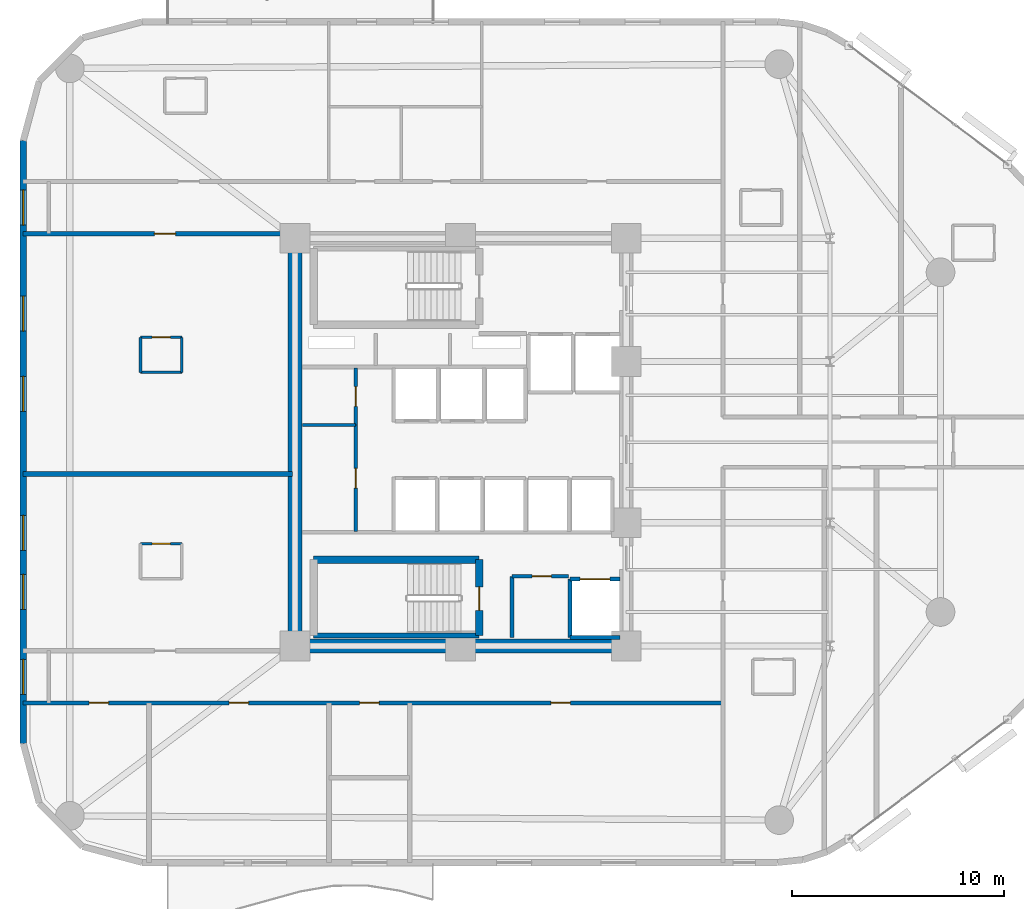
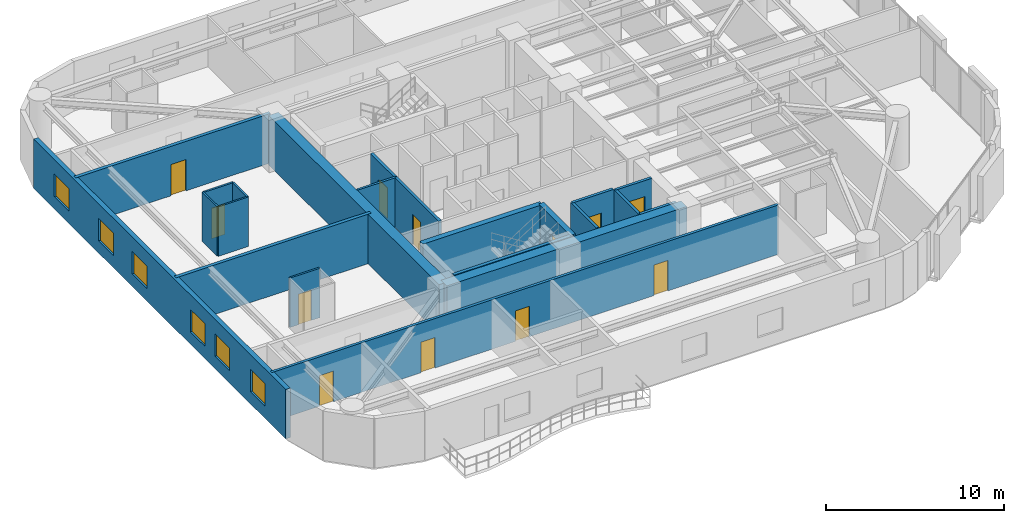
# One storey, part 10 of 16: 22 walls, 12 doors, 6 windows, 18 openings.
"""IFC4 building model written with IfcOpenShell, lengths in metres."""

from ifc_helpers import new_model, si_unit, direction, frame, frame_2d, origin, place, context, subcontext, project, spatial, rectangle, extrude, material, layer, layer_set, type_object, element, fill, save


model = new_model("IFC4")

# Units and contexts
model_context = context("Model", 3, precision=1e-05, world=origin(), true_north=direction((0.0, 1.0)))
body_context = subcontext(model_context, "Body", "Model", "MODEL_VIEW")
ifc_project = project(units=[si_unit("LENGTHUNIT", "METRE"), si_unit("AREAUNIT", "SQUARE_METRE"), si_unit("VOLUMEUNIT", "CUBIC_METRE"), si_unit("PLANEANGLEUNIT", "RADIAN"), si_unit("MASSUNIT", "GRAM", prefix="KILO")], contexts=[model_context])

# Site, building, storey
site_placement = place(None, origin())
site = spatial("IfcSite", under=ifc_project, at=site_placement, CompositionType="ELEMENT")
building_placement = place(site_placement, origin())
building = spatial("IfcBuilding", under=site, at=building_placement, Name="An Khanh Terracotta Commons", CompositionType="ELEMENT")
storey_placement = place(building_placement, frame((0.0, 0.0, 97.10009765625)))
storey = spatial("IfcBuildingStorey", under=building, at=storey_placement, Name="L25", CompositionType="ELEMENT", Elevation=97.10009765625)

# Walls
ifc_material_1 = material(Name="Concrete C60/75", Category="concrete")
ifc_layer_1 = layer(ifc_material_1, 0.64990234375, Name="Concrete C60/75")
ifc_layer_set_1 = layer_set([ifc_layer_1], Name="Concrete C60/75")
wall_type_1 = type_object("IfcWallType", Name="WALL-CORE-650", PredefinedType="SHEAR", material=ifc_layer_set_1)
wall_1_placement = place(storey_placement, frame((21.60009765625, 14.39990234375, 0.0), z_axis=(0.0, 0.0, 1.0), x_axis=(0.0, 1.0, 0.0)))
element("IfcWall", 1, at=wall_1_placement, inside=storey, type_object=wall_type_1, Name="L25 Core Wall CWALL-L25-W", PredefinedType="SHEAR", context=body_context, shape_type="SweptSolid", body=[
    extrude(rectangle(XDim=19.2001953125, YDim=0.64990234375, at=frame_2d((9.60009765625, 0.0))), origin(), (0.0, 0.0, 1.0), 3.39990234375),
])
wall_2_placement = place(storey_placement, frame((37.199951171875, 14.39990234375, 0.0), z_axis=(0.0, 0.0, 1.0), x_axis=(-1.0, 0.0, 0.0)))
element("IfcWall", 2, at=wall_2_placement, inside=storey, type_object=wall_type_1, Name="L25 Core Wall CWALL-L25-S", PredefinedType="SHEAR", context=body_context, shape_type="SweptSolid", body=[
    extrude(rectangle(XDim=15.599853515625, YDim=0.64990234375, at=frame_2d((7.7998046875, 0.0))), origin(), (0.0, 0.0, 1.0), 3.39990234375),
])

# Wall, opening, door
ifc_material_2 = material(Name="Fire-Rated Gypsum Board on Steel Stud", Category="steel")
ifc_layer_2 = layer(ifc_material_2, 0.179931640625, Name="Fire-Rated Gypsum Board on Steel Stud")
ifc_layer_set_2 = layer_set([ifc_layer_2], Name="Fire-Rated Gypsum Board on Steel Stud")
wall_type_2 = type_object("IfcWallType", Name="WALL-CORR-180", PredefinedType="PARTITIONING", material=ifc_layer_set_2)
wall_3_placement = place(storey_placement, frame((31.820068359375, 17.679931640625, 0.0), z_axis=(0.0, 0.0, 1.0), x_axis=(1.0, 0.0, 0.0)))
wall_3 = element("IfcWall", 3, at=wall_3_placement, inside=storey, type_object=wall_type_2, Name="L25 Core Wall SSVCW-L25-N", PredefinedType="PARTITIONING", context=body_context, shape_type="SweptSolid", body=[
    extrude(rectangle(XDim=2.659912109375, YDim=0.179931640625, at=frame_2d((1.330078125, 0.0))), origin(), (0.0, 0.0, 1.0), 3.39990234375),
])
opening_1_placement = place(wall_3_placement, frame((0.949951171875, 0.0, 0.0)))
opening_1 = element("IfcOpeningElement", 4, at=opening_1_placement, cuts=wall_3, Name="Opening D-SV", PredefinedType="OPENING", context=body_context, shape_type="SweptSolid", body=[
    extrude(rectangle(XDim=0.89990234375, YDim=2.050048828125, at=frame_2d((0.449951171875, 1.02490234375))), frame((0.0, 0.099853515625, 0.0), z_axis=(0.0, -1.0, 0.0), x_axis=(1.0, 0.0, 0.0)), (0.0, 0.0, 1.0), 0.199951171875),
])
ifc_material_3 = material(Name="Fire-Rated Powder-Coated Steel Door", Category="steel")
door_type_1 = type_object("IfcDoorType", Name="DOOR-SERV-900", OperationType="NOTDEFINED", PredefinedType="DOOR", material=ifc_material_3)
door_1_placement = place(opening_1_placement, origin())
door_1 = element("IfcDoor", 5, at=door_1_placement, inside=storey, type_object=door_type_1, Name="L25 Core Housekeeping Store Door", OperationType="SINGLE_SWING_RIGHT", OverallHeight=2.050048828125, OverallWidth=0.89990234375, PredefinedType="DOOR", context=body_context, shape_type="SweptSolid", body=[
    extrude(rectangle(XDim=0.89990234375, YDim=2.050048828125, at=frame_2d((0.449951171875, 1.02490234375))), frame((0.0, 0.02490234375, 0.0), z_axis=(0.0, -1.0, 0.0), x_axis=(1.0, 0.0, 0.0)), (0.0, 0.0, 1.0), 0.050048828125),
])
fill(opening_1, door_1)

# Wall
wall_4_placement = place(storey_placement, frame((31.820068359375, 14.800048828125, 0.0), z_axis=(0.0, 0.0, 1.0), x_axis=(0.0, 1.0, 0.0)))
element("IfcWall", 6, at=wall_4_placement, inside=storey, type_object=wall_type_2, Name="L25 Core Wall SSVCW-L25-W", PredefinedType="PARTITIONING", context=body_context, shape_type="SweptSolid", body=[
    extrude(rectangle(XDim=2.8798828125, YDim=0.179931640625, at=frame_2d((1.43994140625, 0.0))), origin(), (0.0, 0.0, 1.0), 3.39990234375),
])

# Wall, opening, door
wall_5_placement = place(storey_placement, frame((34.550048828125, 17.550048828125, 0.0), z_axis=(0.0, 0.0, 1.0), x_axis=(1.0, 0.0, 0.0)))
wall_5 = element("IfcWall", 7, at=wall_5_placement, inside=storey, type_object=wall_type_2, Name="L25 Core Wall LSH-L25-SVL-01-N", PredefinedType="PARTITIONING", context=body_context, shape_type="SweptSolid", body=[
    extrude(rectangle(XDim=2.349853515625, YDim=0.179931640625, at=frame_2d((1.1748046875, 0.0))), origin(), (0.0, 0.0, 1.0), 3.39990234375),
])
opening_2_placement = place(wall_5_placement, frame((0.47509765625, 0.0, 0.0)))
opening_2 = element("IfcOpeningElement", 8, at=opening_2_placement, cuts=wall_5, Name="Opening LD-SVL-01-L25", PredefinedType="OPENING", context=body_context, shape_type="SweptSolid", body=[
    extrude(rectangle(XDim=1.39990234375, YDim=2.300048828125, at=frame_2d((0.699951171875, 1.14990234375))), frame((0.0, 0.099853515625, 0.0), z_axis=(0.0, -1.0, 0.0), x_axis=(1.0, 0.0, 0.0)), (0.0, 0.0, 1.0), 0.199951171875),
])
ifc_material_4 = material(Name="Heavy-Duty Stainless Steel Goods Landing Door", Category="steel")
door_type_2 = type_object("IfcDoorType", Name="DOOR-LD-SVL-1400", OperationType="NOTDEFINED", PredefinedType="DOOR", material=ifc_material_4)
door_2_placement = place(opening_2_placement, origin())
door_2 = element("IfcDoor", 9, at=door_2_placement, inside=storey, type_object=door_type_2, Name="L25 Lift SVL-01 Sliding Landing Door", OperationType="DOUBLE_DOOR_SLIDING", OverallHeight=2.300048828125, OverallWidth=1.39990234375, PredefinedType="DOOR", context=body_context, shape_type="SweptSolid", body=[
    extrude(rectangle(XDim=1.39990234375, YDim=2.300048828125, at=frame_2d((0.699951171875, 1.14990234375))), frame((0.0, 0.02490234375, 0.0), z_axis=(0.0, -1.0, 0.0), x_axis=(1.0, 0.0, 0.0)), (0.0, 0.0, 1.0), 0.050048828125),
])
fill(opening_2, door_2)

# Walls
wall_6_placement = place(storey_placement, frame((36.89990234375, 14.800048828125, 0.0), z_axis=(0.0, 0.0, 1.0), x_axis=(-1.0, 0.0, 0.0)))
element("IfcWall", 10, at=wall_6_placement, inside=storey, type_object=wall_type_2, Name="L25 Core Wall LSH-L25-SVL-01-S", PredefinedType="PARTITIONING", context=body_context, shape_type="SweptSolid", body=[
    extrude(rectangle(XDim=2.349853515625, YDim=0.179931640625, at=frame_2d((1.1748046875, 0.0))), origin(), (0.0, 0.0, 1.0), 3.39990234375),
])
wall_7_placement = place(storey_placement, frame((34.550048828125, 17.550048828125, 0.0), z_axis=(0.0, 0.0, 1.0), x_axis=(0.0, -1.0, 0.0)))
element("IfcWall", 11, at=wall_7_placement, inside=storey, type_object=wall_type_2, Name="L25 Core Wall LSH-L25-SVL-01-W", PredefinedType="PARTITIONING", context=body_context, shape_type="SweptSolid", body=[
    extrude(rectangle(XDim=2.75, YDim=0.179931640625, at=frame_2d((1.375, 0.0))), origin(), (0.0, 0.0, 1.0), 3.39990234375),
])

# Wall, opening, door
wall_8_placement = place(storey_placement, frame((24.4599609375, 24.800048828125, 0.0), z_axis=(0.0, 0.0, 1.0), x_axis=(0.0, 1.0, 0.0)))
wall_8 = element("IfcWall", 12, at=wall_8_placement, inside=storey, type_object=wall_type_2, Name="L25 Core Wall RECW-L25-E1", PredefinedType="PARTITIONING", context=body_context, shape_type="SweptSolid", body=[
    extrude(rectangle(XDim=2.699951171875, YDim=0.179931640625, at=frame_2d((1.35009765625, 0.0))), origin(), (0.0, 0.0, 1.0), 3.39990234375),
])
opening_3_placement = place(wall_8_placement, frame((0.889892578125, 0.0, 0.0)))
opening_3 = element("IfcOpeningElement", 13, at=opening_3_placement, cuts=wall_8, Name="Opening D-RM", PredefinedType="OPENING", context=body_context, shape_type="SweptSolid", body=[
    extrude(rectangle(XDim=0.919921875, YDim=2.10009765625, at=frame_2d((0.4599609375, 1.050048828125))), frame((0.0, 0.099853515625, 0.0), z_axis=(0.0, -1.0, 0.0), x_axis=(1.0, 0.0, 0.0)), (0.0, 0.0, 1.0), 0.199951171875),
])
ifc_material_5 = material(Name="Engineered Hardwood Timber Leaf", Category="wood")
door_type_3 = type_object("IfcDoorType", Name="DOOR-INT-920", OperationType="NOTDEFINED", PredefinedType="DOOR", material=ifc_material_5)
door_3_placement = place(opening_3_placement, origin())
door_3 = element("IfcDoor", 14, at=door_3_placement, inside=storey, type_object=door_type_3, Name="L25 Floor Pantry and Ice Room Door", OperationType="SINGLE_SWING_LEFT", OverallHeight=2.10009765625, OverallWidth=0.919921875, PredefinedType="DOOR", context=body_context, shape_type="SweptSolid", body=[
    extrude(rectangle(XDim=0.919921875, YDim=2.10009765625, at=frame_2d((0.4599609375, 1.050048828125))), frame((0.0, 0.02490234375, 0.0), z_axis=(0.0, -1.0, 0.0), x_axis=(1.0, 0.0, 0.0)), (0.0, 0.0, 1.0), 0.050048828125),
])
fill(opening_3, door_3)

wall_9_placement = place(storey_placement, frame((24.4599609375, 19.800048828125, 0.0), z_axis=(0.0, 0.0, 1.0), x_axis=(0.0, 1.0, 0.0)))
wall_9 = element("IfcWall", 15, at=wall_9_placement, inside=storey, type_object=wall_type_2, Name="L25 Core Wall RECW-L25-E2", PredefinedType="PARTITIONING", context=body_context, shape_type="SweptSolid", body=[
    extrude(rectangle(XDim=5.0, YDim=0.179931640625, at=frame_2d((2.5, 0.0))), origin(), (0.0, 0.0, 1.0), 3.39990234375),
])
opening_4_placement = place(wall_9_placement, frame((2.0400390625, 0.0, 0.0)))
opening_4 = element("IfcOpeningElement", 16, at=opening_4_placement, cuts=wall_9, Name="Opening D-RM", PredefinedType="OPENING", context=body_context, shape_type="SweptSolid", body=[
    extrude(rectangle(XDim=0.919921875, YDim=2.10009765625, at=frame_2d((0.4599609375, 1.050048828125))), frame((0.0, 0.099853515625, 0.0), z_axis=(0.0, -1.0, 0.0), x_axis=(1.0, 0.0, 0.0)), (0.0, 0.0, 1.0), 0.199951171875),
])
door_4_placement = place(opening_4_placement, origin())
door_4 = element("IfcDoor", 17, at=door_4_placement, inside=storey, type_object=door_type_3, Name="L25 Luggage Locker Room Door", OperationType="SINGLE_SWING_RIGHT", OverallHeight=2.10009765625, OverallWidth=0.919921875, PredefinedType="DOOR", context=body_context, shape_type="SweptSolid", body=[
    extrude(rectangle(XDim=0.919921875, YDim=2.10009765625, at=frame_2d((0.4599609375, 1.050048828125))), frame((0.0, 0.02490234375, 0.0), z_axis=(0.0, -1.0, 0.0), x_axis=(1.0, 0.0, 0.0)), (0.0, 0.0, 1.0), 0.050048828125),
])
fill(opening_4, door_4)

# Wall, openings, doors
wall_10_placement = place(storey_placement, frame((8.800048828125, 11.719970703125, 0.0), z_axis=(0.0, 0.0, 1.0), x_axis=(1.0, 0.0, 0.0)))
wall_10 = element("IfcWall", 18, at=wall_10_placement, inside=storey, type_object=wall_type_2, Name="L25 Interior Partition IW-L25-E002", PredefinedType="PARTITIONING", context=body_context, shape_type="SweptSolid", body=[
    extrude(rectangle(XDim=32.949951171875, YDim=0.179931640625, at=frame_2d((16.47509765625, 0.0))), origin(), (0.0, 0.0, 1.0), 3.39990234375),
])
opening_5_placement = place(wall_10_placement, frame((15.840087890625, 0.0, 0.0)))
opening_5 = element("IfcOpeningElement", 19, at=opening_5_placement, cuts=wall_10, Name="Opening D-RM", PredefinedType="OPENING", context=body_context, shape_type="SweptSolid", body=[
    extrude(rectangle(XDim=0.919921875, YDim=2.10009765625, at=frame_2d((0.4599609375, 1.050048828125))), frame((0.0, 0.099853515625, 0.0), z_axis=(0.0, -1.0, 0.0), x_axis=(1.0, 0.0, 0.0)), (0.0, 0.0, 1.0), 0.199951171875),
])
opening_6_placement = place(wall_10_placement, frame((3.10107421875, 0.0, 0.0)))
opening_6 = element("IfcOpeningElement", 20, at=opening_6_placement, cuts=wall_10, Name="Opening D-RM", PredefinedType="OPENING", context=body_context, shape_type="SweptSolid", body=[
    extrude(rectangle(XDim=0.919921875, YDim=2.10009765625, at=frame_2d((0.4599609375, 1.050048828125))), frame((0.0, 0.099853515625, 0.0), z_axis=(0.0, -1.0, 0.0), x_axis=(1.0, 0.0, 0.0)), (0.0, 0.0, 1.0), 0.199951171875),
])
opening_7_placement = place(wall_10_placement, frame((9.700927734375, 0.0, 0.0)))
opening_7 = element("IfcOpeningElement", 21, at=opening_7_placement, cuts=wall_10, Name="Opening D-RM", PredefinedType="OPENING", context=body_context, shape_type="SweptSolid", body=[
    extrude(rectangle(XDim=0.919921875, YDim=2.10009765625, at=frame_2d((0.4599609375, 1.050048828125))), frame((0.0, 0.099853515625, 0.0), z_axis=(0.0, -1.0, 0.0), x_axis=(1.0, 0.0, 0.0)), (0.0, 0.0, 1.0), 0.199951171875),
])
opening_8_placement = place(wall_10_placement, frame((24.85498046875, 0.0, 0.0)))
opening_8 = element("IfcOpeningElement", 22, at=opening_8_placement, cuts=wall_10, Name="Opening D-RM", PredefinedType="OPENING", context=body_context, shape_type="SweptSolid", body=[
    extrude(rectangle(XDim=0.919921875, YDim=2.10009765625, at=frame_2d((0.4599609375, 1.050048828125))), frame((0.0, 0.099853515625, 0.0), z_axis=(0.0, -1.0, 0.0), x_axis=(1.0, 0.0, 0.0)), (0.0, 0.0, 1.0), 0.199951171875),
])
door_5_placement = place(opening_5_placement, origin())
door_5 = element("IfcDoor", 23, at=door_5_placement, inside=storey, type_object=door_type_3, Name="L25 HKP Housekeeping Linen Store Door", OperationType="SINGLE_SWING_LEFT", OverallHeight=2.10009765625, OverallWidth=0.919921875, PredefinedType="DOOR", context=body_context, shape_type="SweptSolid", body=[
    extrude(rectangle(XDim=0.919921875, YDim=2.10009765625, at=frame_2d((0.4599609375, 1.050048828125))), frame((0.0, 0.02490234375, 0.0), z_axis=(0.0, -1.0, 0.0), x_axis=(1.0, 0.0, 0.0)), (0.0, 0.0, 1.0), 0.050048828125),
])
fill(opening_5, door_5)
door_6_placement = place(opening_6_placement, origin())
door_6 = element("IfcDoor", 24, at=door_6_placement, inside=storey, type_object=door_type_3, Name="L25 SW1 Academic Seminar Room Door", OperationType="SINGLE_SWING_LEFT", OverallHeight=2.10009765625, OverallWidth=0.919921875, PredefinedType="DOOR", context=body_context, shape_type="SweptSolid", body=[
    extrude(rectangle(XDim=0.919921875, YDim=2.10009765625, at=frame_2d((0.4599609375, 1.050048828125))), frame((0.0, 0.02490234375, 0.0), z_axis=(0.0, -1.0, 0.0), x_axis=(1.0, 0.0, 0.0)), (0.0, 0.0, 1.0), 0.050048828125),
])
fill(opening_6, door_6)
door_7_placement = place(opening_7_placement, origin())
door_7 = element("IfcDoor", 25, at=door_7_placement, inside=storey, type_object=door_type_3, Name="L25 SW2 Academic Seminar Room Door", OperationType="SINGLE_SWING_RIGHT", OverallHeight=2.10009765625, OverallWidth=0.919921875, PredefinedType="DOOR", context=body_context, shape_type="SweptSolid", body=[
    extrude(rectangle(XDim=0.919921875, YDim=2.10009765625, at=frame_2d((0.4599609375, 1.050048828125))), frame((0.0, 0.02490234375, 0.0), z_axis=(0.0, -1.0, 0.0), x_axis=(1.0, 0.0, 0.0)), (0.0, 0.0, 1.0), 0.050048828125),
])
fill(opening_7, door_7)
door_8_placement = place(opening_8_placement, origin())
door_8 = element("IfcDoor", 26, at=door_8_placement, inside=storey, type_object=door_type_3, Name="L25 SWE Academic Seminar Room Door", OperationType="SINGLE_SWING_LEFT", OverallHeight=2.10009765625, OverallWidth=0.919921875, PredefinedType="DOOR", context=body_context, shape_type="SweptSolid", body=[
    extrude(rectangle(XDim=0.919921875, YDim=2.10009765625, at=frame_2d((0.4599609375, 1.050048828125))), frame((0.0, 0.02490234375, 0.0), z_axis=(0.0, -1.0, 0.0), x_axis=(1.0, 0.0, 0.0)), (0.0, 0.0, 1.0), 0.050048828125),
])
fill(opening_8, door_8)

# Wall, openings, windows
ifc_material_6 = material(Name="Precast concrete C40/50", Category="concrete")
ifc_layer_3 = layer(ifc_material_6, 0.300048828125, Name="Precast concrete C40/50")
ifc_layer_set_3 = layer_set([ifc_layer_3], Name="Precast concrete C40/50")
wall_type_3 = type_object("IfcWallType", Name="WALL-EXT-300", PredefinedType="SOLIDWALL", material=ifc_layer_set_3)
wall_11_placement = place(storey_placement, frame((8.800048828125, 38.199951171875, 0.0), z_axis=(0.0, 0.0, 1.0), x_axis=(0.0, -1.0, 0.0)))
wall_11 = element("IfcWall", 27, at=wall_11_placement, inside=storey, type_object=wall_type_3, Name="L25 Insulated Terracotta Exterior Wall 24", PredefinedType="SOLIDWALL", context=body_context, shape_type="SweptSolid", body=[
    extrude(rectangle(XDim=28.39990234375, YDim=0.300048828125, at=frame_2d((14.199951171875, 0.0))), origin(), (0.0, 0.0, 1.0), 3.39990234375),
])
opening_9_placement = place(wall_11_placement, frame((2.324951171875, 0.0, 0.85009765625)))
opening_9 = element("IfcOpeningElement", 28, at=opening_9_placement, cuts=wall_11, Name="Opening W-02", PredefinedType="OPENING", context=body_context, shape_type="SweptSolid", body=[
    extrude(rectangle(XDim=1.64990234375, YDim=1.550048828125, at=frame_2d((0.824951171875, 0.77490234375))), frame((0.0, 0.159912109375, 0.0), z_axis=(0.0, -1.0, 0.0), x_axis=(1.0, 0.0, 0.0)), (0.0, 0.0, 1.0), 0.320068359375),
])
opening_10_placement = place(wall_11_placement, frame((7.327880859375, 0.0, 0.85009765625)))
opening_10 = element("IfcOpeningElement", 29, at=opening_10_placement, cuts=wall_11, Name="Opening W-02", PredefinedType="OPENING", context=body_context, shape_type="SweptSolid", body=[
    extrude(rectangle(XDim=1.64990234375, YDim=1.550048828125, at=frame_2d((0.824951171875, 0.77490234375))), frame((0.0, 0.159912109375, 0.0), z_axis=(0.0, -1.0, 0.0), x_axis=(1.0, 0.0, 0.0)), (0.0, 0.0, 1.0), 0.320068359375),
])
opening_11_placement = place(wall_11_placement, frame((11.10205078125, 0.0, 0.85009765625)))
opening_11 = element("IfcOpeningElement", 30, at=opening_11_placement, cuts=wall_11, Name="Opening W-02", PredefinedType="OPENING", context=body_context, shape_type="SweptSolid", body=[
    extrude(rectangle(XDim=1.64990234375, YDim=1.550048828125, at=frame_2d((0.824951171875, 0.77490234375))), frame((0.0, 0.159912109375, 0.0), z_axis=(0.0, -1.0, 0.0), x_axis=(1.0, 0.0, 0.0)), (0.0, 0.0, 1.0), 0.320068359375),
])
opening_12_placement = place(wall_11_placement, frame((17.64794921875, 0.0, 0.85009765625)))
opening_12 = element("IfcOpeningElement", 31, at=opening_12_placement, cuts=wall_11, Name="Opening W-02", PredefinedType="OPENING", context=body_context, shape_type="SweptSolid", body=[
    extrude(rectangle(XDim=1.64990234375, YDim=1.550048828125, at=frame_2d((0.824951171875, 0.77490234375))), frame((0.0, 0.159912109375, 0.0), z_axis=(0.0, -1.0, 0.0), x_axis=(1.0, 0.0, 0.0)), (0.0, 0.0, 1.0), 0.320068359375),
])
opening_13_placement = place(wall_11_placement, frame((20.422119140625, 0.0, 0.85009765625)))
opening_13 = element("IfcOpeningElement", 32, at=opening_13_placement, cuts=wall_11, Name="Opening W-02", PredefinedType="OPENING", context=body_context, shape_type="SweptSolid", body=[
    extrude(rectangle(XDim=1.64990234375, YDim=1.550048828125, at=frame_2d((0.824951171875, 0.77490234375))), frame((0.0, 0.159912109375, 0.0), z_axis=(0.0, -1.0, 0.0), x_axis=(1.0, 0.0, 0.0)), (0.0, 0.0, 1.0), 0.320068359375),
])
opening_14_placement = place(wall_11_placement, frame((24.425048828125, 0.0, 0.85009765625)))
opening_14 = element("IfcOpeningElement", 33, at=opening_14_placement, cuts=wall_11, Name="Opening W-02", PredefinedType="OPENING", context=body_context, shape_type="SweptSolid", body=[
    extrude(rectangle(XDim=1.64990234375, YDim=1.550048828125, at=frame_2d((0.824951171875, 0.77490234375))), frame((0.0, 0.159912109375, 0.0), z_axis=(0.0, -1.0, 0.0), x_axis=(1.0, 0.0, 0.0)), (0.0, 0.0, 1.0), 0.320068359375),
])
ifc_material_7 = material(Name="Thermally Broken Aluminium and Low-E Glass", Category="aluminium")
window_type = type_object("IfcWindowType", Name="WIN-Z2-1650x1550", PartitioningType="DOUBLE_PANEL_VERTICAL", PredefinedType="WINDOW", material=ifc_material_7)
window_1_placement = place(opening_9_placement, origin())
window_1 = element("IfcWindow", 34, at=window_1_placement, inside=storey, type_object=window_type, Name="L25 Operable Casement Window 24.1", OverallHeight=1.550048828125, OverallWidth=1.64990234375, PartitioningType="DOUBLE_PANEL_VERTICAL", PredefinedType="WINDOW", context=body_context, shape_type="SweptSolid", body=[
    extrude(rectangle(XDim=1.64990234375, YDim=1.550048828125, at=frame_2d((0.824951171875, 0.77490234375))), frame((0.0, 0.030029296875, 0.0), z_axis=(0.0, -1.0, 0.0), x_axis=(1.0, 0.0, 0.0)), (0.0, 0.0, 1.0), 0.06005859375),
])
fill(opening_9, window_1)
window_2_placement = place(opening_10_placement, origin())
window_2 = element("IfcWindow", 35, at=window_2_placement, inside=storey, type_object=window_type, Name="L25 Operable Casement Window 24.2", OverallHeight=1.550048828125, OverallWidth=1.64990234375, PartitioningType="DOUBLE_PANEL_VERTICAL", PredefinedType="WINDOW", context=body_context, shape_type="SweptSolid", body=[
    extrude(rectangle(XDim=1.64990234375, YDim=1.550048828125, at=frame_2d((0.824951171875, 0.77490234375))), frame((0.0, 0.030029296875, 0.0), z_axis=(0.0, -1.0, 0.0), x_axis=(1.0, 0.0, 0.0)), (0.0, 0.0, 1.0), 0.06005859375),
])
fill(opening_10, window_2)
window_3_placement = place(opening_11_placement, origin())
window_3 = element("IfcWindow", 36, at=window_3_placement, inside=storey, type_object=window_type, Name="L25 Operable Casement Window 24.3", OverallHeight=1.550048828125, OverallWidth=1.64990234375, PartitioningType="DOUBLE_PANEL_VERTICAL", PredefinedType="WINDOW", context=body_context, shape_type="SweptSolid", body=[
    extrude(rectangle(XDim=1.64990234375, YDim=1.550048828125, at=frame_2d((0.824951171875, 0.77490234375))), frame((0.0, 0.030029296875, 0.0), z_axis=(0.0, -1.0, 0.0), x_axis=(1.0, 0.0, 0.0)), (0.0, 0.0, 1.0), 0.06005859375),
])
fill(opening_11, window_3)
window_4_placement = place(opening_12_placement, origin())
window_4 = element("IfcWindow", 37, at=window_4_placement, inside=storey, type_object=window_type, Name="L25 Operable Casement Window 24.4", OverallHeight=1.550048828125, OverallWidth=1.64990234375, PartitioningType="DOUBLE_PANEL_VERTICAL", PredefinedType="WINDOW", context=body_context, shape_type="SweptSolid", body=[
    extrude(rectangle(XDim=1.64990234375, YDim=1.550048828125, at=frame_2d((0.824951171875, 0.77490234375))), frame((0.0, 0.030029296875, 0.0), z_axis=(0.0, -1.0, 0.0), x_axis=(1.0, 0.0, 0.0)), (0.0, 0.0, 1.0), 0.06005859375),
])
fill(opening_12, window_4)
window_5_placement = place(opening_13_placement, origin())
window_5 = element("IfcWindow", 38, at=window_5_placement, inside=storey, type_object=window_type, Name="L25 Operable Casement Window 24.5", OverallHeight=1.550048828125, OverallWidth=1.64990234375, PartitioningType="DOUBLE_PANEL_VERTICAL", PredefinedType="WINDOW", context=body_context, shape_type="SweptSolid", body=[
    extrude(rectangle(XDim=1.64990234375, YDim=1.550048828125, at=frame_2d((0.824951171875, 0.77490234375))), frame((0.0, 0.030029296875, 0.0), z_axis=(0.0, -1.0, 0.0), x_axis=(1.0, 0.0, 0.0)), (0.0, 0.0, 1.0), 0.06005859375),
])
fill(opening_13, window_5)
window_6_placement = place(opening_14_placement, origin())
window_6 = element("IfcWindow", 39, at=window_6_placement, inside=storey, type_object=window_type, Name="L25 Operable Casement Window 24.6", OverallHeight=1.550048828125, OverallWidth=1.64990234375, PartitioningType="DOUBLE_PANEL_VERTICAL", PredefinedType="WINDOW", context=body_context, shape_type="SweptSolid", body=[
    extrude(rectangle(XDim=1.64990234375, YDim=1.550048828125, at=frame_2d((0.824951171875, 0.77490234375))), frame((0.0, 0.030029296875, 0.0), z_axis=(0.0, -1.0, 0.0), x_axis=(1.0, 0.0, 0.0)), (0.0, 0.0, 1.0), 0.06005859375),
])
fill(opening_14, window_6)

# Walls
ifc_material_8 = material(Name="Acoustic Gypsum Board Partition")
ifc_layer_4 = layer(ifc_material_8, 0.14990234375, Name="Acoustic Gypsum Board Partition")
ifc_layer_set_4 = layer_set([ifc_layer_4], Name="Acoustic Gypsum Board Partition")
wall_type_4 = type_object("IfcWallType", Name="WALL-PART-150", PredefinedType="PARTITIONING", material=ifc_layer_set_4)
wall_12_placement = place(storey_placement, frame((21.949951171875, 24.800048828125, 0.0), z_axis=(0.0, 0.0, 1.0), x_axis=(1.0, 0.0, 0.0)))
element("IfcWall", 40, at=wall_12_placement, inside=storey, type_object=wall_type_4, Name="L25 Core Wall RECW-L25-M", PredefinedType="PARTITIONING", context=body_context, shape_type="SweptSolid", body=[
    extrude(rectangle(XDim=2.510009765625, YDim=0.14990234375, at=frame_2d((1.2548828125, 0.0))), origin(), (0.0, 0.0, 1.0), 3.39990234375),
])
ifc_material_9 = material(Name="Acoustic Double-Stud Gypsum and Mineral Wool")
ifc_layer_5 = layer(ifc_material_9, 0.219970703125, Name="Acoustic Double-Stud Gypsum and Mineral Wool")
ifc_layer_set_5 = layer_set([ifc_layer_5], Name="Acoustic Double-Stud Gypsum and Mineral Wool")
wall_type_5 = type_object("IfcWallType", Name="WALL-PARTY-220", PredefinedType="PARTITIONING", material=ifc_layer_set_5)
wall_13_placement = place(storey_placement, frame((22.47998046875, 14.889892578125, 0.0), z_axis=(0.0, 0.0, 1.0), x_axis=(1.0, 0.0, 0.0)))
element("IfcWall", 41, at=wall_13_placement, inside=storey, type_object=wall_type_5, Name="L25 Core Wall STW-L25-S-S", PredefinedType="PARTITIONING", context=body_context, shape_type="SweptSolid", body=[
    extrude(rectangle(XDim=7.7900390625, YDim=0.219970703125, at=frame_2d((3.89501953125, 0.0))), origin(), (0.0, 0.0, 1.0), 3.39990234375),
])
wall_14_placement = place(storey_placement, frame((8.800048828125, 22.5, 0.0), z_axis=(0.0, 0.0, 1.0), x_axis=(1.0, 0.0, 0.0)))
element("IfcWall", 42, at=wall_14_placement, inside=storey, type_object=wall_type_5, Name="L25 Interior Partition IW-L25-E004", PredefinedType="PARTITIONING", context=body_context, shape_type="SweptSolid", body=[
    extrude(rectangle(XDim=12.679931640625, YDim=0.219970703125, at=frame_2d((6.33984375, 0.0))), origin(), (0.0, 0.0, 1.0), 3.39990234375),
])

# Wall, opening, door
wall_15_placement = place(storey_placement, frame((8.800048828125, 33.820068359375, 0.0), z_axis=(0.0, 0.0, 1.0), x_axis=(1.0, 0.0, 0.0)))
wall_15 = element("IfcWall", 43, at=wall_15_placement, inside=storey, type_object=wall_type_5, Name="L25 Interior Partition IW-L25-E007", PredefinedType="PARTITIONING", context=body_context, shape_type="SweptSolid", body=[
    extrude(rectangle(XDim=12.679931640625, YDim=0.219970703125, at=frame_2d((6.33984375, 0.0))), origin(), (0.0, 0.0, 1.0), 3.39990234375),
])
opening_15_placement = place(wall_15_placement, frame((6.179931640625, 0.0, 0.0)))
opening_15 = element("IfcOpeningElement", 44, at=opening_15_placement, cuts=wall_15, Name="Opening D-UN", PredefinedType="OPENING", context=body_context, shape_type="SweptSolid", body=[
    extrude(rectangle(XDim=1.0, YDim=2.14990234375, at=frame_2d((0.5, 1.074951171875))), frame((0.0, 0.119873046875, 0.0), z_axis=(0.0, -1.0, 0.0), x_axis=(1.0, 0.0, 0.0)), (0.0, 0.0, 1.0), 0.239990234375),
])
ifc_material_10 = material(Name="Solid-Core Hardwood Acoustic Fire Door", Category="wood")
door_type_4 = type_object("IfcDoorType", Name="DOOR-UNIT-1000", OperationType="NOTDEFINED", PredefinedType="DOOR", material=ifc_material_10)
door_9_placement = place(opening_15_placement, origin())
door_9 = element("IfcDoor", 45, at=door_9_placement, inside=storey, type_object=door_type_4, Name="L25 WW2 Kitchenette and Studio Apartment Door", OperationType="SINGLE_SWING_LEFT", OverallHeight=2.14990234375, OverallWidth=1.0, PredefinedType="DOOR", context=body_context, shape_type="SweptSolid", body=[
    extrude(rectangle(XDim=1.0, YDim=2.14990234375, at=frame_2d((0.5, 1.074951171875))), frame((0.0, 0.02490234375, 0.0), z_axis=(0.0, -1.0, 0.0), x_axis=(1.0, 0.0, 0.0)), (0.0, 0.0, 1.0), 0.050048828125),
])
fill(opening_15, door_9)

# Wall
ifc_material_11 = material(Name="Concrete C50/60", Category="concrete")
ifc_layer_6 = layer(ifc_material_11, 0.35009765625, Name="Concrete C50/60")
ifc_layer_set_6 = layer_set([ifc_layer_6], Name="Concrete C50/60")
wall_type_6 = type_object("IfcWallType", Name="WALL-SHAFT-350", PredefinedType="SOLIDWALL", material=ifc_layer_set_6)
wall_16_placement = place(storey_placement, frame((22.47998046875, 18.469970703125, 0.0), z_axis=(0.0, 0.0, 1.0), x_axis=(1.0, 0.0, 0.0)))
element("IfcWall", 46, at=wall_16_placement, inside=storey, type_object=wall_type_6, Name="L25 Core Wall STW-L25-S-N", PredefinedType="SOLIDWALL", context=body_context, shape_type="SweptSolid", body=[
    extrude(rectangle(XDim=7.7900390625, YDim=0.35009765625, at=frame_2d((3.89501953125, 0.0))), origin(), (0.0, 0.0, 1.0), 3.39990234375),
])

# Wall, opening, door
wall_17_placement = place(storey_placement, frame((30.27001953125, 14.889892578125, 0.0), z_axis=(0.0, 0.0, 1.0), x_axis=(0.0, 1.0, 0.0)))
wall_17 = element("IfcWall", 47, at=wall_17_placement, inside=storey, type_object=wall_type_6, Name="L25 Core Wall STW-L25-S-E", PredefinedType="SOLIDWALL", context=body_context, shape_type="SweptSolid", body=[
    extrude(rectangle(XDim=3.580078125, YDim=0.35009765625, at=frame_2d((1.7900390625, 0.0))), origin(), (0.0, 0.0, 1.0), 3.39990234375),
])
opening_16_placement = place(wall_17_placement, frame((1.18994140625, 0.0, 0.0)))
opening_16 = element("IfcOpeningElement", 48, at=opening_16_placement, cuts=wall_17, Name="Opening D-ST", PredefinedType="OPENING", context=body_context, shape_type="SweptSolid", body=[
    extrude(rectangle(XDim=1.10009765625, YDim=2.14990234375, at=frame_2d((0.550048828125, 1.074951171875))), frame((0.0, 0.18505859375, 0.0), z_axis=(0.0, -1.0, 0.0), x_axis=(1.0, 0.0, 0.0)), (0.0, 0.0, 1.0), 0.3701171875),
])
ifc_material_12 = material(Name="Fire-Rated Steel Leaf and Frame", Category="steel")
door_type_5 = type_object("IfcDoorType", Name="DOOR-STAIR-1100", OperationType="NOTDEFINED", PredefinedType="DOOR", material=ifc_material_12)
door_10_placement = place(opening_16_placement, origin())
door_10 = element("IfcDoor", 49, at=door_10_placement, inside=storey, type_object=door_type_5, Name="L25 Stair ST-02 Fire Door", OperationType="SINGLE_SWING_LEFT", OverallHeight=2.14990234375, OverallWidth=1.10009765625, PredefinedType="DOOR", context=body_context, shape_type="SweptSolid", body=[
    extrude(rectangle(XDim=1.10009765625, YDim=2.14990234375, at=frame_2d((0.550048828125, 1.074951171875))), frame((0.0, 0.02490234375, 0.0), z_axis=(0.0, -1.0, 0.0), x_axis=(1.0, 0.0, 0.0)), (0.0, 0.0, 1.0), 0.050048828125),
])
fill(opening_16, door_10)

ifc_material_13 = material(Name="Moisture-Resistant Cement Board Partition")
ifc_layer_7 = layer(ifc_material_13, 0.1201171875, Name="Moisture-Resistant Cement Board Partition")
ifc_layer_set_7 = layer_set([ifc_layer_7], Name="Moisture-Resistant Cement Board Partition")
wall_type_7 = type_object("IfcWallType", Name="WALL-WET-120", PredefinedType="PARTITIONING", material=ifc_layer_set_7)
wall_18_placement = place(storey_placement, frame((14.324951171875, 19.215087890625, 0.0), z_axis=(0.0, 0.0, 1.0), x_axis=(1.0, 0.0, 0.0)))
wall_18 = element("IfcWall", 50, at=wall_18_placement, inside=storey, type_object=wall_type_7, Name="L25 Interior Partition IW-L25-WW1-BN", PredefinedType="PARTITIONING", context=body_context, shape_type="SweptSolid", body=[
    extrude(rectangle(XDim=1.949951171875, YDim=0.1201171875, at=frame_2d((0.97509765625, 0.0))), origin(), (0.0, 0.0, 1.0), 3.39990234375),
])
opening_17_placement = place(wall_18_placement, frame((0.544921875, 0.0, 0.0)))
opening_17 = element("IfcOpeningElement", 51, at=opening_17_placement, cuts=wall_18, Name="Opening D-ENS", PredefinedType="OPENING", context=body_context, shape_type="SweptSolid", body=[
    extrude(rectangle(XDim=0.860107421875, YDim=2.10009765625, at=frame_2d((0.43017578125, 1.050048828125))), frame((0.0, 0.070068359375, 0.0), z_axis=(0.0, -1.0, 0.0), x_axis=(1.0, 0.0, 0.0)), (0.0, 0.0, 1.0), 0.14013671875),
])
ifc_material_14 = material(Name="Moisture-Resistant Hardwood Timber Leaf", Category="wood")
door_type_6 = type_object("IfcDoorType", Name="DOOR-BATH-860", OperationType="NOTDEFINED", PredefinedType="DOOR", material=ifc_material_14)
door_11_placement = place(opening_17_placement, origin())
door_11 = element("IfcDoor", 52, at=door_11_placement, inside=storey, type_object=door_type_6, Name="L25 Studio WW1 En-suite Door", OperationType="SINGLE_SWING_LEFT", OverallHeight=2.10009765625, OverallWidth=0.860107421875, PredefinedType="DOOR", context=body_context, shape_type="SweptSolid", body=[
    extrude(rectangle(XDim=0.860107421875, YDim=2.10009765625, at=frame_2d((0.43017578125, 1.050048828125))), frame((0.0, 0.02490234375, 0.0), z_axis=(0.0, -1.0, 0.0), x_axis=(1.0, 0.0, 0.0)), (0.0, 0.0, 1.0), 0.050048828125),
])
fill(opening_17, door_11)

wall_19_placement = place(storey_placement, frame((14.324951171875, 28.93505859375, 0.0), z_axis=(0.0, 0.0, 1.0), x_axis=(1.0, 0.0, 0.0)))
wall_19 = element("IfcWall", 53, at=wall_19_placement, inside=storey, type_object=wall_type_7, Name="L25 Interior Partition IW-L25-WW2-BN", PredefinedType="PARTITIONING", context=body_context, shape_type="SweptSolid", body=[
    extrude(rectangle(XDim=1.949951171875, YDim=0.1201171875, at=frame_2d((0.97509765625, 0.0))), origin(), (0.0, 0.0, 1.0), 3.39990234375),
])
opening_18_placement = place(wall_19_placement, frame((0.544921875, 0.0, 0.0)))
opening_18 = element("IfcOpeningElement", 54, at=opening_18_placement, cuts=wall_19, Name="Opening D-ENS", PredefinedType="OPENING", context=body_context, shape_type="SweptSolid", body=[
    extrude(rectangle(XDim=0.860107421875, YDim=2.10009765625, at=frame_2d((0.43017578125, 1.050048828125))), frame((0.0, 0.070068359375, 0.0), z_axis=(0.0, -1.0, 0.0), x_axis=(1.0, 0.0, 0.0)), (0.0, 0.0, 1.0), 0.14013671875),
])
door_12_placement = place(opening_18_placement, origin())
door_12 = element("IfcDoor", 55, at=door_12_placement, inside=storey, type_object=door_type_6, Name="L25 Studio WW2 En-suite Door", OperationType="SINGLE_SWING_RIGHT", OverallHeight=2.10009765625, OverallWidth=0.860107421875, PredefinedType="DOOR", context=body_context, shape_type="SweptSolid", body=[
    extrude(rectangle(XDim=0.860107421875, YDim=2.10009765625, at=frame_2d((0.43017578125, 1.050048828125))), frame((0.0, 0.02490234375, 0.0), z_axis=(0.0, -1.0, 0.0), x_axis=(1.0, 0.0, 0.0)), (0.0, 0.0, 1.0), 0.050048828125),
])
fill(opening_18, door_12)

# Walls
wall_20_placement = place(storey_placement, frame((16.27490234375, 27.284912109375, 0.0), z_axis=(0.0, 0.0, 1.0), x_axis=(-1.0, 0.0, 0.0)))
element("IfcWall", 56, at=wall_20_placement, inside=storey, type_object=wall_type_7, Name="L25 Interior Partition IW-L25-WW2-BS", PredefinedType="PARTITIONING", context=body_context, shape_type="SweptSolid", body=[
    extrude(rectangle(XDim=1.949951171875, YDim=0.1201171875, at=frame_2d((0.97509765625, 0.0))), origin(), (0.0, 0.0, 1.0), 3.39990234375),
])
for number, where, z_axis, x_axis, name in (
    (57, (14.324951171875, 28.93505859375, 0.0), (0.0, 0.0, 1.0), (0.0, -1.0, 0.0), "L25 Interior Partition IW-L25-WW2-BW"),
    (58, (16.27490234375, 27.284912109375, 0.0), (0.0, 0.0, 1.0), (0.0, 1.0, 0.0), "L25 Interior Partition IW-L25-WW2-BE"),
):
    element("IfcWall", number, at=place(storey_placement, frame(where, z_axis=z_axis, x_axis=x_axis)), inside=storey, type_object=wall_type_7, Name=name, PredefinedType="PARTITIONING", context=body_context, shape_type="SweptSolid", body=[
        extrude(rectangle(XDim=1.650146484375, YDim=0.1201171875, at=frame_2d((0.8251953125, 0.0))), origin(), (0.0, 0.0, 1.0), 3.39990234375),
    ])

save(model, "model.ifc")
